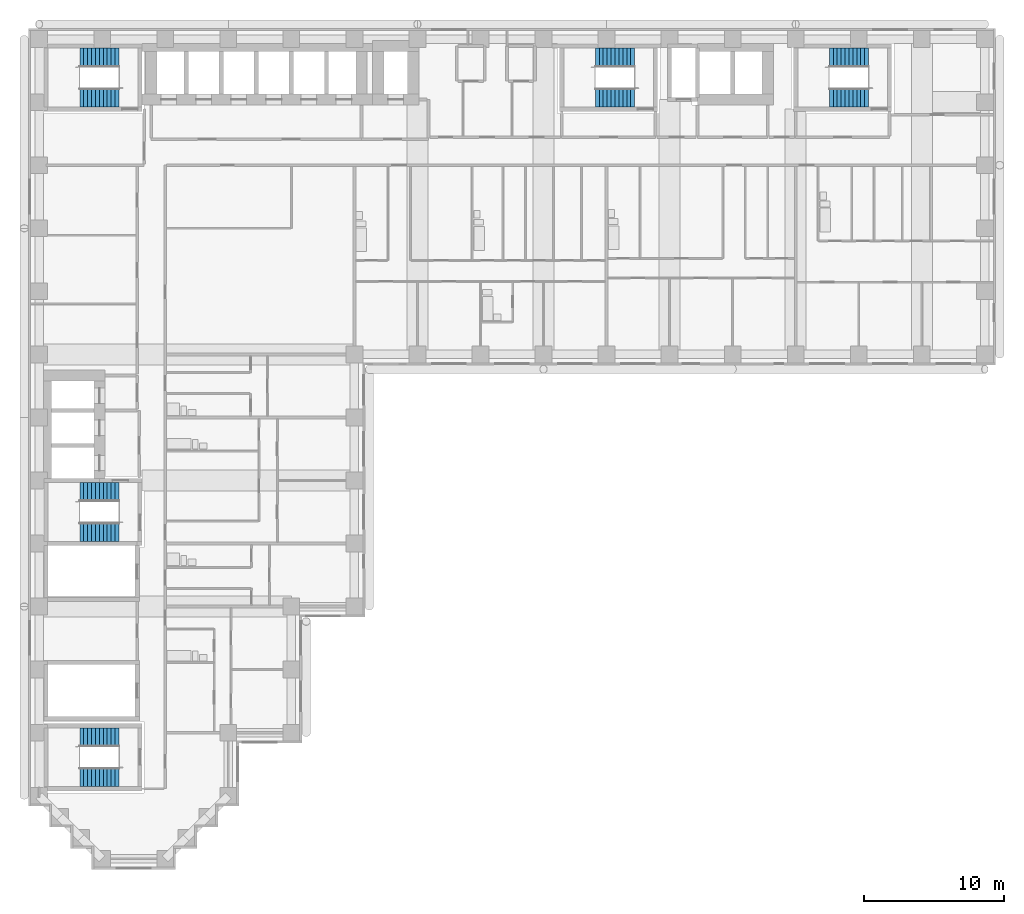
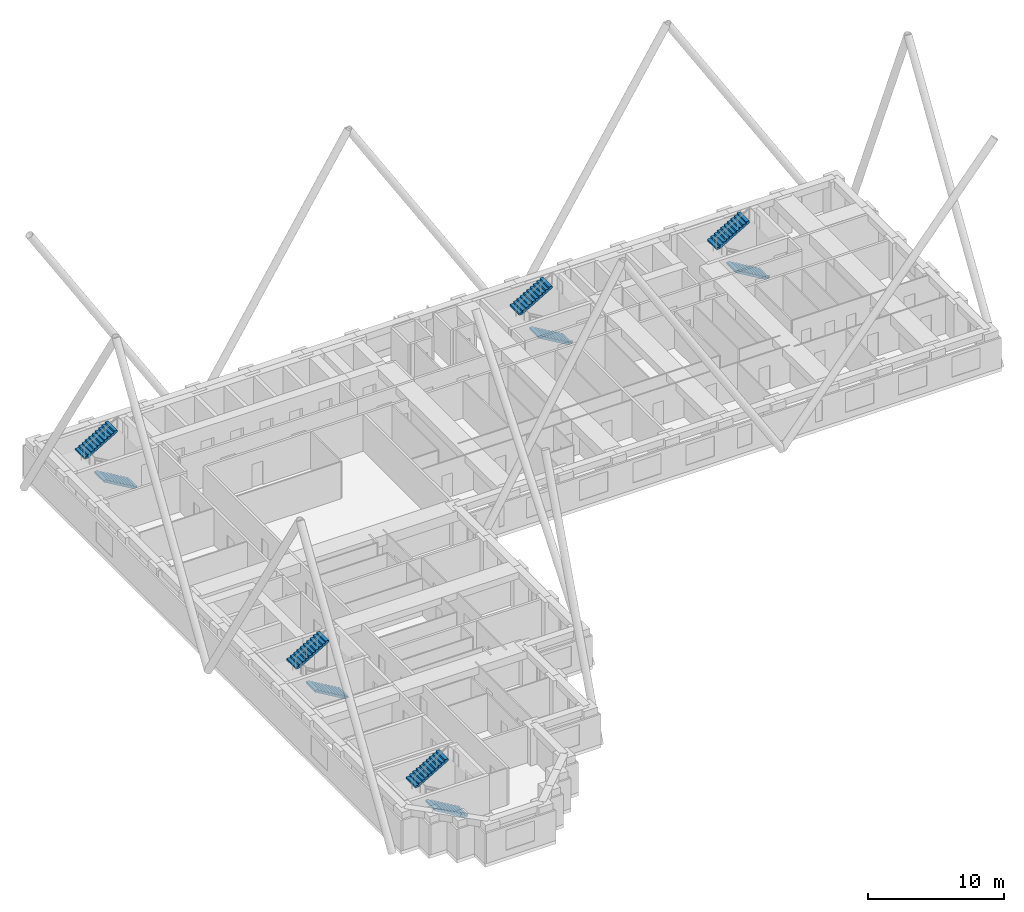
# One storey, part 11 of 13: 10 stair flights, 5 elements without a shape of their own.
"""IFC4 building model written with IfcOpenShell, lengths in metres."""

import ifcopenshell
import ifcopenshell.guid

model = None  # the IFC model being written
_history = None  # IfcOwnerHistory: only IFC2X3 demands one
_inside = {}  # id of a spatial element -> (the spatial element, [elements in it])
_under = {}  # id of a project, library or spatial element -> (it, [spatial elements below it])
_declared = {}  # id of a project -> (the project, [libraries it declares])
_typed = {}  # id of a type object -> (the type object, [elements of that type])
_made_of = {}  # id of a material, layer set ... -> (it, [elements and type objects made of it])


def new_model(schema):
    """Start an empty IFC model of exactly this schema.

    Asked for "IFC4X3", IfcOpenShell would pick the latest addendum, in which some entities
    have other attributes; the version numbers below select the first issue.
    IFC2X3 requires an IfcOwnerHistory on every rooted entity: one is made here for all.
    """
    global model, _history
    if schema == "IFC4X3":
        model = ifcopenshell.file(schema_version=(4, 3, 0, 0))
    else:
        model = ifcopenshell.file(schema=schema)
    _inside.clear()
    _under.clear()
    _declared.clear()
    _typed.clear()
    _made_of.clear()
    _history = None
    if model.schema == "IFC2X3":
        org = make("IfcOrganization", Name="unknown")
        user = make(
            "IfcPersonAndOrganization",
            ThePerson=make("IfcPerson", FamilyName="unknown"),
            TheOrganization=org,
        )
        app = make(
            "IfcApplication",
            ApplicationDeveloper=org,
            Version="unknown",
            ApplicationFullName="unknown",
            ApplicationIdentifier="unknown",
        )
        _history = make(
            "IfcOwnerHistory",
            OwningUser=user,
            OwningApplication=app,
            ChangeAction="ADDED",
            CreationDate=0,
        )
    return model


def make(cls, **values):
    """One entity of the class cls with the attributes given. An attribute that is None is left unset."""
    return model.create_entity(
        cls, **{name: value for name, value in values.items() if value is not None}
    )


def rooted(cls, **values):
    """An entity with a GlobalId (a new one), such as an element, a storey or a relation."""
    return make(cls, GlobalId=ifcopenshell.guid.new(), OwnerHistory=_history, **values)


def si_unit(unit_type, name, prefix=None):
    """IfcSIUnit, for example si_unit("LENGTHUNIT", "METRE", prefix="MILLI")."""
    return make("IfcSIUnit", UnitType=unit_type, Prefix=prefix, Name=name)


def assignment(units):
    """IfcUnitAssignment: the units of a project."""
    return None if units is None else make("IfcUnitAssignment", Units=units)


def point(xyz):
    """IfcCartesianPoint."""
    return None if xyz is None else make("IfcCartesianPoint", Coordinates=xyz)


def direction(xyz):
    """IfcDirection."""
    return None if xyz is None else make("IfcDirection", DirectionRatios=xyz)


def frame(location, z_axis=None, x_axis=None):
    """IfcAxis2Placement3D, a coordinate frame: its origin and axes. An axis left out is left unset."""
    return make(
        "IfcAxis2Placement3D",
        Location=point(location),
        Axis=direction(z_axis),
        RefDirection=direction(x_axis),
    )


def origin():
    """The frame at (0, 0, 0) with its axes left unset."""
    return frame((0.0, 0.0, 0.0))


def place(relative_to, where):
    """IfcLocalPlacement: puts the frame where relative to a parent placement (None: the world)."""
    return make(
        "IfcLocalPlacement", PlacementRelTo=relative_to, RelativePlacement=where
    )


def context(
    kind, dimensions, precision=None, world=None, true_north=None, identifier=None
):
    """IfcGeometricRepresentationContext, for example the 3D "Model" context."""
    return make(
        "IfcGeometricRepresentationContext",
        ContextIdentifier=identifier,
        ContextType=kind,
        CoordinateSpaceDimension=dimensions,
        Precision=precision,
        WorldCoordinateSystem=world,
        TrueNorth=true_north,
    )


def subcontext(parent, identifier, kind, view, scale=None):
    """IfcGeometricRepresentationSubContext, for example "Body" below "Model"."""
    return make(
        "IfcGeometricRepresentationSubContext",
        ContextIdentifier=identifier,
        ContextType=kind,
        ParentContext=parent,
        TargetScale=scale,
        TargetView=view,
    )


def project(units=None, contexts=None):
    """IfcProject with its units and contexts."""
    return rooted(
        "IfcProject",
        Name="project",
        RepresentationContexts=contexts,
        UnitsInContext=assignment(units),
    )


def spatial(cls, under=None, at=None, **own):
    """A site, building, storey or space (cls), placed at a placement, below another one or the project."""
    s = rooted(cls, ObjectPlacement=at, **own)
    if under is not None:
        _under.setdefault(under.id(), (under, []))[1].append(s)
    return s


def polyline(points):
    """IfcPolyline through the points."""
    return make("IfcPolyline", Points=[point(p) for p in points])


def outline(outer, holes=None, kind="AREA"):
    """IfcArbitraryClosedProfileDef: a profile drawn as a closed curve; with holes, ...WithVoids."""
    if holes is None:
        return make("IfcArbitraryClosedProfileDef", ProfileType=kind, OuterCurve=outer)
    return make(
        "IfcArbitraryProfileDefWithVoids",
        ProfileType=kind,
        OuterCurve=outer,
        InnerCurves=holes,
    )


def extrude(swept, where, along, depth):
    """IfcExtrudedAreaSolid: the profile swept, set in the frame where, extruded along a direction by depth."""
    return make(
        "IfcExtrudedAreaSolid",
        SweptArea=swept,
        Position=where,
        ExtrudedDirection=direction(along),
        Depth=depth,
    )


def shape(context_of_items, identifier, shape_type, items):
    """IfcShapeRepresentation: the items that make up one representation, for example the "Body"."""
    return make(
        "IfcShapeRepresentation",
        ContextOfItems=context_of_items,
        RepresentationIdentifier=identifier,
        RepresentationType=shape_type,
        Items=items,
    )


def material(Name=None, Category=None):
    """IfcMaterial."""
    return make("IfcMaterial", Name=Name, Category=Category)


def made_of(thing, what):
    """Note that an element or type object is made of a material, layer set ...; save() writes the relation."""
    if what is not None:
        _made_of.setdefault(what.id(), (what, []))[1].append(thing)
    return thing


def type_object(cls, material=None, **own):
    """A type object (cls), such as IfcWallType, which elements share."""
    return made_of(rooted(cls, **own), material)


def element(
    cls,
    number,
    at=None,
    inside=None,
    cuts=None,
    type_object=None,
    material=None,
    context=None,
    identifier="Body",
    shape_type=None,
    held_by="IfcProductDefinitionShape",
    body=None,
    shapes=None,
    **own,
):
    """One element of the class cls, such as IfcWall. Its Tag is "e" and its number.

    at: its placement. inside: the storey or other place that contains it. cuts: it is an
    opening in that element (IfcRelVoidsElement). A single representation is given by context,
    identifier, shape_type and body (its items); several are given by shapes. held_by: the class
    of the entity that holds the representations. save() writes the other relations.
    """
    e = rooted(cls, Tag="e%d" % number, ObjectPlacement=at, **own)
    if body is not None:
        shapes = [shape(context, identifier, shape_type, body)]
    if shapes is not None:
        e.Representation = make(held_by, Representations=shapes)
    if inside is not None:
        _inside.setdefault(inside.id(), (inside, []))[1].append(e)
    if cuts is not None:
        rooted(
            "IfcRelVoidsElement", RelatingBuildingElement=cuts, RelatedOpeningElement=e
        )
    if type_object is not None:
        _typed.setdefault(type_object.id(), (type_object, []))[1].append(e)
    return made_of(e, material)


def aggregate(whole, parts):
    """IfcRelAggregates: a whole, such as a stair, and the parts it consists of."""
    return rooted("IfcRelAggregates", RelatingObject=whole, RelatedObjects=parts)


def save(model, path):
    """Write the relations noted so far, then the file.

    IfcRelAggregates (storeys below a building ...), IfcRelContainedInSpatialStructure (elements
    in a storey), IfcRelDefinesByType, IfcRelAssociatesMaterial and IfcRelDeclares: one each for
    every whole, place, type object, material and project.
    """
    for whole, parts in _under.values():
        aggregate(whole, parts)
    for where, things in _inside.values():
        rooted(
            "IfcRelContainedInSpatialStructure",
            RelatedElements=things,
            RelatingStructure=where,
        )
    for kind, things in _typed.values():
        rooted("IfcRelDefinesByType", RelatedObjects=things, RelatingType=kind)
    for what, things in _made_of.values():
        rooted("IfcRelAssociatesMaterial", RelatedObjects=things, RelatingMaterial=what)
    for by, libraries in _declared.values():
        rooted("IfcRelDeclares", RelatingContext=by, RelatedDefinitions=libraries)
    model.write(path)


model = new_model("IFC4")

# Units and contexts
model_context = context("Model", 3, precision=1e-05, world=origin(), true_north=direction((0.0, 1.0)))
body_context = subcontext(model_context, "Body", "Model", "MODEL_VIEW")
ifc_project = project(units=[si_unit("LENGTHUNIT", "METRE"), si_unit("AREAUNIT", "SQUARE_METRE"), si_unit("VOLUMEUNIT", "CUBIC_METRE"), si_unit("PLANEANGLEUNIT", "RADIAN"), si_unit("MASSUNIT", "GRAM", prefix="KILO")], contexts=[model_context])

# Site, building, storey
site_placement = place(None, origin())
site = spatial("IfcSite", under=ifc_project, at=site_placement, CompositionType="ELEMENT")
building_placement = place(site_placement, origin())
building = spatial("IfcBuilding", under=site, at=building_placement, Name="Firuza Court", CompositionType="ELEMENT")
storey_placement = place(building_placement, frame((0.0, 0.0, 50.60009765625)))
storey = spatial("IfcBuildingStorey", under=building, at=storey_placement, Name="L11", CompositionType="ELEMENT", Elevation=50.60009765625)

# Stair, stair flights
ifc_material_1 = material(Name="Concrete C40/50 precast", Category="concrete")
stair_type = type_object("IfcStairType", Name="Stair 1350 x 3600 2 flights", PredefinedType="HALF_TURN_STAIR", material=ifc_material_1)
stair_1_placement = place(storey_placement, origin())
stair_1 = element("IfcStair", 1, at=stair_1_placement, inside=storey, type_object=stair_type, Name="Stair 1 L11", PredefinedType="HALF_TURN_STAIR")
ifc_material_2 = material(Name="Concrete C40/50 precast", Category="concrete")
stair_flight_type = type_object("IfcStairFlightType", Name="Flight 1350 riser 163.6", PredefinedType="STRAIGHT", material=ifc_material_2)
stair_flight_1_placement = place(storey_placement, frame((42.5, 54.324951171875, 0.0), z_axis=(0.0, 0.0, 1.0), x_axis=(-1.0, 0.0, 0.0)))
stair_flight_1 = element("IfcStairFlight", 2, at=stair_flight_1_placement, type_object=stair_flight_type, Name="S1 flight 1", NumberOfRisers=11, NumberOfTreads=10, PredefinedType="STRAIGHT", RiserHeight=0.163636364, TreadLength=0.28, context=body_context, shape_type="SweptSolid", body=[
    extrude(outline(polyline([(0.0, 0.0), (0.0, 0.16357421875), (0.280029296875, 0.16357421875), (0.280029296875, 0.327392578125), (0.56005859375, 0.327392578125), (0.56005859375, 0.490966796875), (0.840087890625, 0.490966796875), (0.840087890625, 0.654541015625), (1.1201171875, 0.654541015625), (1.1201171875, 0.818115234375), (1.39990234375, 0.818115234375), (1.39990234375, 0.98193359375), (1.679931640625, 0.98193359375), (1.679931640625, 1.1455078125), (1.9599609375, 1.1455078125), (1.9599609375, 1.30908203125), (2.239990234375, 1.30908203125), (2.239990234375, 1.47265625), (2.52001953125, 1.47265625), (2.52001953125, 1.636474609375), (2.800048828125, 1.636474609375), (2.800048828125, 1.800048828125), (2.800048828125, 1.462646484375), (0.297119140625, 0.0), (0.0, 0.0)])), frame((0.0, 0.675048828125, 0.0), z_axis=(0.0, -1.0, 0.0), x_axis=(1.0, 0.0, 0.0)), (0.0, 0.0, 1.0), 1.35009765625),
])
stair_flight_2_placement = place(storey_placement, frame((39.699951171875, 57.175048828125, 1.7998046875), z_axis=(0.0, 0.0, 1.0), x_axis=(1.0, 0.0, 0.0)))
stair_flight_2 = element("IfcStairFlight", 3, at=stair_flight_2_placement, type_object=stair_flight_type, Name="S1 flight 2", NumberOfRisers=11, NumberOfTreads=10, PredefinedType="STRAIGHT", RiserHeight=0.163636364, TreadLength=0.28, context=body_context, shape_type="SweptSolid", body=[
    extrude(outline(polyline([(0.0, 0.0), (0.0, 0.16357421875), (0.280029296875, 0.16357421875), (0.280029296875, 0.327392578125), (0.56005859375, 0.327392578125), (0.56005859375, 0.490966796875), (0.840087890625, 0.490966796875), (0.840087890625, 0.654541015625), (1.1201171875, 0.654541015625), (1.1201171875, 0.818115234375), (1.39990234375, 0.818115234375), (1.39990234375, 0.98193359375), (1.679931640625, 0.98193359375), (1.679931640625, 1.1455078125), (1.9599609375, 1.1455078125), (1.9599609375, 1.30908203125), (2.239990234375, 1.30908203125), (2.239990234375, 1.47265625), (2.52001953125, 1.47265625), (2.52001953125, 1.636474609375), (2.800048828125, 1.636474609375), (2.800048828125, 1.800048828125), (2.800048828125, 1.462646484375), (0.297119140625, 0.0), (0.0, 0.0)])), frame((0.0, 0.675048828125, 0.0), z_axis=(0.0, -1.0, 0.0), x_axis=(1.0, 0.0, 0.0)), (0.0, 0.0, 1.0), 1.35009765625),
])
aggregate(stair_1, [stair_flight_1, stair_flight_2])

stair_2_placement = place(storey_placement, origin())
stair_2 = element("IfcStair", 4, at=stair_2_placement, inside=storey, type_object=stair_type, Name="Stair 2 L11", PredefinedType="HALF_TURN_STAIR")
stair_flight_3_placement = place(storey_placement, frame((5.699951171875, 23.324951171875, 0.0), z_axis=(0.0, 0.0, 1.0), x_axis=(-1.0, 0.0, 0.0)))
stair_flight_3 = element("IfcStairFlight", 5, at=stair_flight_3_placement, type_object=stair_flight_type, Name="S2 flight 1", NumberOfRisers=11, NumberOfTreads=10, PredefinedType="STRAIGHT", RiserHeight=0.163636364, TreadLength=0.28, context=body_context, shape_type="SweptSolid", body=[
    extrude(outline(polyline([(0.0, 0.0), (0.0, 0.16357421875), (0.280029296875, 0.16357421875), (0.280029296875, 0.327392578125), (0.56005859375, 0.327392578125), (0.56005859375, 0.490966796875), (0.840087890625, 0.490966796875), (0.840087890625, 0.654541015625), (1.1201171875, 0.654541015625), (1.1201171875, 0.818115234375), (1.39990234375, 0.818115234375), (1.39990234375, 0.98193359375), (1.679931640625, 0.98193359375), (1.679931640625, 1.1455078125), (1.9599609375, 1.1455078125), (1.9599609375, 1.30908203125), (2.239990234375, 1.30908203125), (2.239990234375, 1.47265625), (2.52001953125, 1.47265625), (2.52001953125, 1.636474609375), (2.800048828125, 1.636474609375), (2.800048828125, 1.800048828125), (2.800048828125, 1.462646484375), (0.297119140625, 0.0), (0.0, 0.0)])), frame((0.0, 0.675048828125, 0.0), z_axis=(0.0, -1.0, 0.0), x_axis=(1.0, 0.0, 0.0)), (0.0, 0.0, 1.0), 1.35009765625),
])
stair_flight_4_placement = place(storey_placement, frame((2.89990234375, 26.175048828125, 1.7998046875), z_axis=(0.0, 0.0, 1.0), x_axis=(1.0, 0.0, 0.0)))
stair_flight_4 = element("IfcStairFlight", 6, at=stair_flight_4_placement, type_object=stair_flight_type, Name="S2 flight 2", NumberOfRisers=11, NumberOfTreads=10, PredefinedType="STRAIGHT", RiserHeight=0.163636364, TreadLength=0.28, context=body_context, shape_type="SweptSolid", body=[
    extrude(outline(polyline([(0.0, 0.0), (0.0, 0.16357421875), (0.280029296875, 0.16357421875), (0.280029296875, 0.327392578125), (0.56005859375, 0.327392578125), (0.56005859375, 0.490966796875), (0.840087890625, 0.490966796875), (0.840087890625, 0.654541015625), (1.1201171875, 0.654541015625), (1.1201171875, 0.818115234375), (1.39990234375, 0.818115234375), (1.39990234375, 0.98193359375), (1.679931640625, 0.98193359375), (1.679931640625, 1.1455078125), (1.9599609375, 1.1455078125), (1.9599609375, 1.30908203125), (2.239990234375, 1.30908203125), (2.239990234375, 1.47265625), (2.52001953125, 1.47265625), (2.52001953125, 1.636474609375), (2.800048828125, 1.636474609375), (2.800048828125, 1.800048828125), (2.800048828125, 1.462646484375), (0.297119140625, 0.0), (0.0, 0.0)])), frame((0.0, 0.675048828125, 0.0), z_axis=(0.0, -1.0, 0.0), x_axis=(1.0, 0.0, 0.0)), (0.0, 0.0, 1.0), 1.35009765625),
])
aggregate(stair_2, [stair_flight_3, stair_flight_4])

stair_3_placement = place(storey_placement, origin())
stair_3 = element("IfcStair", 7, at=stair_3_placement, inside=storey, type_object=stair_type, Name="Stair 3 L11", PredefinedType="HALF_TURN_STAIR")
stair_flight_5_placement = place(storey_placement, frame((5.699951171875, 54.324951171875, 0.0), z_axis=(0.0, 0.0, 1.0), x_axis=(-1.0, 0.0, 0.0)))
stair_flight_5 = element("IfcStairFlight", 8, at=stair_flight_5_placement, type_object=stair_flight_type, Name="S3 flight 1", NumberOfRisers=11, NumberOfTreads=10, PredefinedType="STRAIGHT", RiserHeight=0.163636364, TreadLength=0.28, context=body_context, shape_type="SweptSolid", body=[
    extrude(outline(polyline([(0.0, 0.0), (0.0, 0.16357421875), (0.280029296875, 0.16357421875), (0.280029296875, 0.327392578125), (0.56005859375, 0.327392578125), (0.56005859375, 0.490966796875), (0.840087890625, 0.490966796875), (0.840087890625, 0.654541015625), (1.1201171875, 0.654541015625), (1.1201171875, 0.818115234375), (1.39990234375, 0.818115234375), (1.39990234375, 0.98193359375), (1.679931640625, 0.98193359375), (1.679931640625, 1.1455078125), (1.9599609375, 1.1455078125), (1.9599609375, 1.30908203125), (2.239990234375, 1.30908203125), (2.239990234375, 1.47265625), (2.52001953125, 1.47265625), (2.52001953125, 1.636474609375), (2.800048828125, 1.636474609375), (2.800048828125, 1.800048828125), (2.800048828125, 1.462646484375), (0.297119140625, 0.0), (0.0, 0.0)])), frame((0.0, 0.675048828125, 0.0), z_axis=(0.0, -1.0, 0.0), x_axis=(1.0, 0.0, 0.0)), (0.0, 0.0, 1.0), 1.35009765625),
])
stair_flight_6_placement = place(storey_placement, frame((2.89990234375, 57.175048828125, 1.7998046875), z_axis=(0.0, 0.0, 1.0), x_axis=(1.0, 0.0, 0.0)))
stair_flight_6 = element("IfcStairFlight", 9, at=stair_flight_6_placement, type_object=stair_flight_type, Name="S3 flight 2", NumberOfRisers=11, NumberOfTreads=10, PredefinedType="STRAIGHT", RiserHeight=0.163636364, TreadLength=0.28, context=body_context, shape_type="SweptSolid", body=[
    extrude(outline(polyline([(0.0, 0.0), (0.0, 0.16357421875), (0.280029296875, 0.16357421875), (0.280029296875, 0.327392578125), (0.56005859375, 0.327392578125), (0.56005859375, 0.490966796875), (0.840087890625, 0.490966796875), (0.840087890625, 0.654541015625), (1.1201171875, 0.654541015625), (1.1201171875, 0.818115234375), (1.39990234375, 0.818115234375), (1.39990234375, 0.98193359375), (1.679931640625, 0.98193359375), (1.679931640625, 1.1455078125), (1.9599609375, 1.1455078125), (1.9599609375, 1.30908203125), (2.239990234375, 1.30908203125), (2.239990234375, 1.47265625), (2.52001953125, 1.47265625), (2.52001953125, 1.636474609375), (2.800048828125, 1.636474609375), (2.800048828125, 1.800048828125), (2.800048828125, 1.462646484375), (0.297119140625, 0.0), (0.0, 0.0)])), frame((0.0, 0.675048828125, 0.0), z_axis=(0.0, -1.0, 0.0), x_axis=(1.0, 0.0, 0.0)), (0.0, 0.0, 1.0), 1.35009765625),
])
aggregate(stair_3, [stair_flight_5, stair_flight_6])

stair_4_placement = place(storey_placement, origin())
stair_4 = element("IfcStair", 10, at=stair_4_placement, inside=storey, type_object=stair_type, Name="Stair 4 L11", PredefinedType="HALF_TURN_STAIR")
stair_flight_7_placement = place(storey_placement, frame((59.199951171875, 54.324951171875, 0.0), z_axis=(0.0, 0.0, 1.0), x_axis=(-1.0, 0.0, 0.0)))
stair_flight_7 = element("IfcStairFlight", 11, at=stair_flight_7_placement, type_object=stair_flight_type, Name="S4 flight 1", NumberOfRisers=11, NumberOfTreads=10, PredefinedType="STRAIGHT", RiserHeight=0.163636364, TreadLength=0.28, context=body_context, shape_type="SweptSolid", body=[
    extrude(outline(polyline([(0.0, 0.0), (0.0, 0.16357421875), (0.280029296875, 0.16357421875), (0.280029296875, 0.327392578125), (0.56005859375, 0.327392578125), (0.56005859375, 0.490966796875), (0.840087890625, 0.490966796875), (0.840087890625, 0.654541015625), (1.1201171875, 0.654541015625), (1.1201171875, 0.818115234375), (1.39990234375, 0.818115234375), (1.39990234375, 0.98193359375), (1.679931640625, 0.98193359375), (1.679931640625, 1.1455078125), (1.9599609375, 1.1455078125), (1.9599609375, 1.30908203125), (2.239990234375, 1.30908203125), (2.239990234375, 1.47265625), (2.52001953125, 1.47265625), (2.52001953125, 1.636474609375), (2.800048828125, 1.636474609375), (2.800048828125, 1.800048828125), (2.800048828125, 1.462646484375), (0.297119140625, 0.0), (0.0, 0.0)])), frame((0.0, 0.675048828125, 0.0), z_axis=(0.0, -1.0, 0.0), x_axis=(1.0, 0.0, 0.0)), (0.0, 0.0, 1.0), 1.35009765625),
])
stair_flight_8_placement = place(storey_placement, frame((56.39990234375, 57.175048828125, 1.7998046875), z_axis=(0.0, 0.0, 1.0), x_axis=(1.0, 0.0, 0.0)))
stair_flight_8 = element("IfcStairFlight", 12, at=stair_flight_8_placement, type_object=stair_flight_type, Name="S4 flight 2", NumberOfRisers=11, NumberOfTreads=10, PredefinedType="STRAIGHT", RiserHeight=0.163636364, TreadLength=0.28, context=body_context, shape_type="SweptSolid", body=[
    extrude(outline(polyline([(0.0, 0.0), (0.0, 0.16357421875), (0.280029296875, 0.16357421875), (0.280029296875, 0.327392578125), (0.56005859375, 0.327392578125), (0.56005859375, 0.490966796875), (0.840087890625, 0.490966796875), (0.840087890625, 0.654541015625), (1.1201171875, 0.654541015625), (1.1201171875, 0.818115234375), (1.39990234375, 0.818115234375), (1.39990234375, 0.98193359375), (1.679931640625, 0.98193359375), (1.679931640625, 1.1455078125), (1.9599609375, 1.1455078125), (1.9599609375, 1.30908203125), (2.239990234375, 1.30908203125), (2.239990234375, 1.47265625), (2.52001953125, 1.47265625), (2.52001953125, 1.636474609375), (2.800048828125, 1.636474609375), (2.800048828125, 1.800048828125), (2.800048828125, 1.462646484375), (0.297119140625, 0.0), (0.0, 0.0)])), frame((0.0, 0.675048828125, 0.0), z_axis=(0.0, -1.0, 0.0), x_axis=(1.0, 0.0, 0.0)), (0.0, 0.0, 1.0), 1.35009765625),
])
aggregate(stair_4, [stair_flight_7, stair_flight_8])

stair_5_placement = place(storey_placement, origin())
stair_5 = element("IfcStair", 13, at=stair_5_placement, inside=storey, type_object=stair_type, Name="Stair 5 L11", PredefinedType="HALF_TURN_STAIR")
stair_flight_9_placement = place(storey_placement, frame((5.699951171875, 5.824951171875, 0.0), z_axis=(0.0, 0.0, 1.0), x_axis=(-1.0, 0.0, 0.0)))
stair_flight_9 = element("IfcStairFlight", 14, at=stair_flight_9_placement, type_object=stair_flight_type, Name="S5 flight 1", NumberOfRisers=11, NumberOfTreads=10, PredefinedType="STRAIGHT", RiserHeight=0.163636364, TreadLength=0.28, context=body_context, shape_type="SweptSolid", body=[
    extrude(outline(polyline([(0.0, 0.0), (0.0, 0.16357421875), (0.280029296875, 0.16357421875), (0.280029296875, 0.327392578125), (0.56005859375, 0.327392578125), (0.56005859375, 0.490966796875), (0.840087890625, 0.490966796875), (0.840087890625, 0.654541015625), (1.1201171875, 0.654541015625), (1.1201171875, 0.818115234375), (1.39990234375, 0.818115234375), (1.39990234375, 0.98193359375), (1.679931640625, 0.98193359375), (1.679931640625, 1.1455078125), (1.9599609375, 1.1455078125), (1.9599609375, 1.30908203125), (2.239990234375, 1.30908203125), (2.239990234375, 1.47265625), (2.52001953125, 1.47265625), (2.52001953125, 1.636474609375), (2.800048828125, 1.636474609375), (2.800048828125, 1.800048828125), (2.800048828125, 1.462646484375), (0.297119140625, 0.0), (0.0, 0.0)])), frame((0.0, 0.675048828125, 0.0), z_axis=(0.0, -1.0, 0.0), x_axis=(1.0, 0.0, 0.0)), (0.0, 0.0, 1.0), 1.35009765625),
])
stair_flight_10_placement = place(storey_placement, frame((2.89990234375, 8.675048828125, 1.7998046875), z_axis=(0.0, 0.0, 1.0), x_axis=(1.0, 0.0, 0.0)))
stair_flight_10 = element("IfcStairFlight", 15, at=stair_flight_10_placement, type_object=stair_flight_type, Name="S5 flight 2", NumberOfRisers=11, NumberOfTreads=10, PredefinedType="STRAIGHT", RiserHeight=0.163636364, TreadLength=0.28, context=body_context, shape_type="SweptSolid", body=[
    extrude(outline(polyline([(0.0, 0.0), (0.0, 0.16357421875), (0.280029296875, 0.16357421875), (0.280029296875, 0.327392578125), (0.56005859375, 0.327392578125), (0.56005859375, 0.490966796875), (0.840087890625, 0.490966796875), (0.840087890625, 0.654541015625), (1.1201171875, 0.654541015625), (1.1201171875, 0.818115234375), (1.39990234375, 0.818115234375), (1.39990234375, 0.98193359375), (1.679931640625, 0.98193359375), (1.679931640625, 1.1455078125), (1.9599609375, 1.1455078125), (1.9599609375, 1.30908203125), (2.239990234375, 1.30908203125), (2.239990234375, 1.47265625), (2.52001953125, 1.47265625), (2.52001953125, 1.636474609375), (2.800048828125, 1.636474609375), (2.800048828125, 1.800048828125), (2.800048828125, 1.462646484375), (0.297119140625, 0.0), (0.0, 0.0)])), frame((0.0, 0.675048828125, 0.0), z_axis=(0.0, -1.0, 0.0), x_axis=(1.0, 0.0, 0.0)), (0.0, 0.0, 1.0), 1.35009765625),
])
aggregate(stair_5, [stair_flight_9, stair_flight_10])

save(model, "model.ifc")
